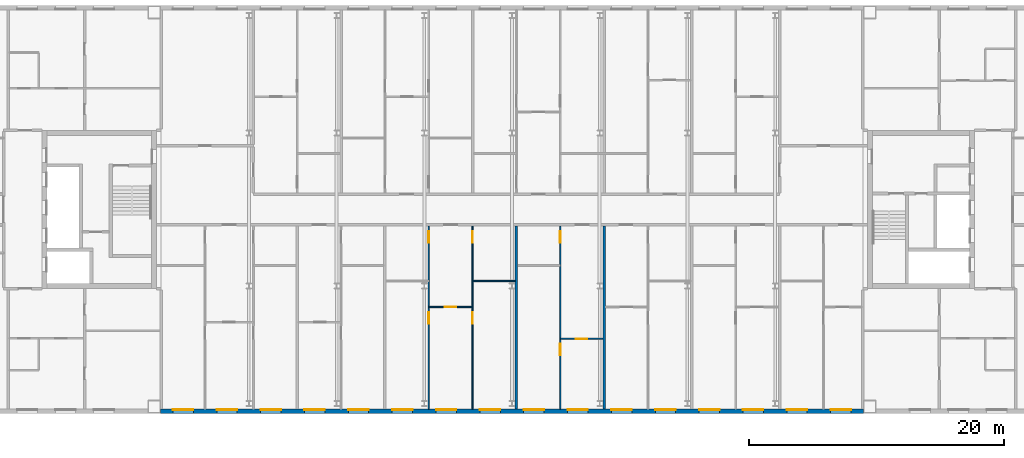
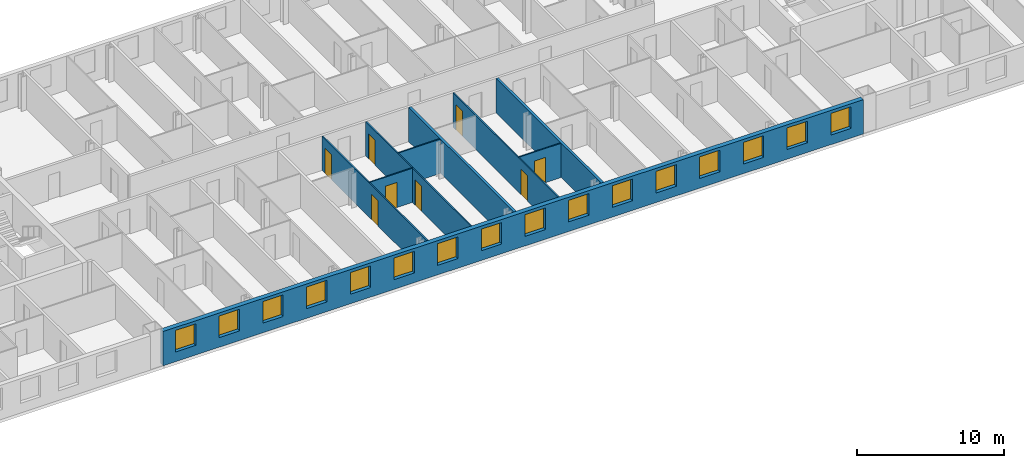
# One storey, part 10 of 19: 16 windows, 9 walls, 8 doors, 24 openings.
"""IFC4 building model written with IfcOpenShell, lengths in metres."""

from ifc_helpers import new_model, si_unit, direction, frame, frame_2d, origin, place, context, subcontext, project, spatial, rectangle, extrude, material, layer, layer_set, type_object, element, fill, save


model = new_model("IFC4")

# Units and contexts
model_context = context("Model", 3, precision=1e-05, world=origin(), true_north=direction((0.0, 1.0)))
body_context = subcontext(model_context, "Body", "Model", "MODEL_VIEW")
ifc_project = project(units=[si_unit("LENGTHUNIT", "METRE"), si_unit("AREAUNIT", "SQUARE_METRE"), si_unit("VOLUMEUNIT", "CUBIC_METRE"), si_unit("PLANEANGLEUNIT", "RADIAN"), si_unit("MASSUNIT", "GRAM", prefix="KILO")], contexts=[model_context])

# Site, building, storey
site_placement = place(None, origin())
site = spatial("IfcSite", under=ifc_project, at=site_placement, CompositionType="ELEMENT")
building_placement = place(site_placement, origin())
building = spatial("IfcBuilding", under=site, at=building_placement, Name="Tuart Gate Housing", CompositionType="ELEMENT")
storey_placement = place(building_placement, frame((0.0, 0.0, 233.800048828125)))
storey = spatial("IfcBuildingStorey", under=building, at=storey_placement, Name="L66", CompositionType="ELEMENT", Elevation=233.800048828125)

# Wall, openings, windows
ifc_material_1 = material(Name="Brick", Category="masonry")
ifc_layer_1 = layer(ifc_material_1, 0.360107421875)
ifc_layer_set_1 = layer_set([ifc_layer_1], Name="Brick pier and spandrel wall 360")
wall_type_1 = type_object("IfcWallType", Name="Brick pier and spandrel wall 360", PredefinedType="STANDARD", material=ifc_layer_set_1)
wall_1_placement = place(storey_placement, frame((75.949951171875, 54.179931640625, 0.0), z_axis=(0.0, 0.0, 1.0), x_axis=(1.0, 0.0, 0.0)))
wall_1 = element("IfcWall", 1, at=wall_1_placement, inside=storey, type_object=wall_type_1, Name="External wall BLK-S L66", PredefinedType="STANDARD", context=body_context, shape_type="SweptSolid", body=[
    extrude(rectangle(XDim=55.10009765625, YDim=0.360107421875, at=frame_2d((27.550048828125, 0.0))), origin(), (0.0, 0.0, 1.0), 2.849853515625),
])
opening_1_placement = place(wall_1_placement, frame((0.96875, 0.0, 0.800048828125)))
opening_1 = element("IfcOpeningElement", 2, at=opening_1_placement, cuts=wall_1, Name="Opening W1", PredefinedType="OPENING", context=body_context, shape_type="SweptSolid", body=[
    extrude(rectangle(XDim=1.60009765625, YDim=1.800048828125, at=frame_2d((0.800048828125, 0.89990234375))), frame((0.0, 0.18994140625, 0.0), z_axis=(0.0, -1.0, 0.0), x_axis=(1.0, 0.0, 0.0)), (0.0, 0.0, 1.0), 0.380126953125),
])
opening_2_placement = place(wall_1_placement, frame((4.40625, 0.0, 0.800048828125)))
opening_2 = element("IfcOpeningElement", 3, at=opening_2_placement, cuts=wall_1, Name="Opening W1", PredefinedType="OPENING", context=body_context, shape_type="SweptSolid", body=[
    extrude(rectangle(XDim=1.60009765625, YDim=1.800048828125, at=frame_2d((0.800048828125, 0.89990234375))), frame((0.0, 0.18994140625, 0.0), z_axis=(0.0, -1.0, 0.0), x_axis=(1.0, 0.0, 0.0)), (0.0, 0.0, 1.0), 0.380126953125),
])
opening_3_placement = place(wall_1_placement, frame((7.84375, 0.0, 0.800048828125)))
opening_3 = element("IfcOpeningElement", 4, at=opening_3_placement, cuts=wall_1, Name="Opening W1", PredefinedType="OPENING", context=body_context, shape_type="SweptSolid", body=[
    extrude(rectangle(XDim=1.60009765625, YDim=1.800048828125, at=frame_2d((0.800048828125, 0.89990234375))), frame((0.0, 0.18994140625, 0.0), z_axis=(0.0, -1.0, 0.0), x_axis=(1.0, 0.0, 0.0)), (0.0, 0.0, 1.0), 0.380126953125),
])
opening_4_placement = place(wall_1_placement, frame((11.28125, 0.0, 0.800048828125)))
opening_4 = element("IfcOpeningElement", 5, at=opening_4_placement, cuts=wall_1, Name="Opening W1", PredefinedType="OPENING", context=body_context, shape_type="SweptSolid", body=[
    extrude(rectangle(XDim=1.60009765625, YDim=1.800048828125, at=frame_2d((0.800048828125, 0.89990234375))), frame((0.0, 0.18994140625, 0.0), z_axis=(0.0, -1.0, 0.0), x_axis=(1.0, 0.0, 0.0)), (0.0, 0.0, 1.0), 0.380126953125),
])
opening_5_placement = place(wall_1_placement, frame((14.71875, 0.0, 0.800048828125)))
opening_5 = element("IfcOpeningElement", 6, at=opening_5_placement, cuts=wall_1, Name="Opening W1", PredefinedType="OPENING", context=body_context, shape_type="SweptSolid", body=[
    extrude(rectangle(XDim=1.60009765625, YDim=1.800048828125, at=frame_2d((0.800048828125, 0.89990234375))), frame((0.0, 0.18994140625, 0.0), z_axis=(0.0, -1.0, 0.0), x_axis=(1.0, 0.0, 0.0)), (0.0, 0.0, 1.0), 0.380126953125),
])
opening_6_placement = place(wall_1_placement, frame((18.15625, 0.0, 0.800048828125)))
opening_6 = element("IfcOpeningElement", 7, at=opening_6_placement, cuts=wall_1, Name="Opening W1", PredefinedType="OPENING", context=body_context, shape_type="SweptSolid", body=[
    extrude(rectangle(XDim=1.60009765625, YDim=1.800048828125, at=frame_2d((0.800048828125, 0.89990234375))), frame((0.0, 0.18994140625, 0.0), z_axis=(0.0, -1.0, 0.0), x_axis=(1.0, 0.0, 0.0)), (0.0, 0.0, 1.0), 0.380126953125),
])
opening_7_placement = place(wall_1_placement, frame((21.59375, 0.0, 0.800048828125)))
opening_7 = element("IfcOpeningElement", 8, at=opening_7_placement, cuts=wall_1, Name="Opening W1", PredefinedType="OPENING", context=body_context, shape_type="SweptSolid", body=[
    extrude(rectangle(XDim=1.60009765625, YDim=1.800048828125, at=frame_2d((0.800048828125, 0.89990234375))), frame((0.0, 0.18994140625, 0.0), z_axis=(0.0, -1.0, 0.0), x_axis=(1.0, 0.0, 0.0)), (0.0, 0.0, 1.0), 0.380126953125),
])
opening_8_placement = place(wall_1_placement, frame((25.03125, 0.0, 0.800048828125)))
opening_8 = element("IfcOpeningElement", 9, at=opening_8_placement, cuts=wall_1, Name="Opening W1", PredefinedType="OPENING", context=body_context, shape_type="SweptSolid", body=[
    extrude(rectangle(XDim=1.60009765625, YDim=1.800048828125, at=frame_2d((0.800048828125, 0.89990234375))), frame((0.0, 0.18994140625, 0.0), z_axis=(0.0, -1.0, 0.0), x_axis=(1.0, 0.0, 0.0)), (0.0, 0.0, 1.0), 0.380126953125),
])
opening_9_placement = place(wall_1_placement, frame((28.46875, 0.0, 0.800048828125)))
opening_9 = element("IfcOpeningElement", 10, at=opening_9_placement, cuts=wall_1, Name="Opening W1", PredefinedType="OPENING", context=body_context, shape_type="SweptSolid", body=[
    extrude(rectangle(XDim=1.60009765625, YDim=1.800048828125, at=frame_2d((0.800048828125, 0.89990234375))), frame((0.0, 0.18994140625, 0.0), z_axis=(0.0, -1.0, 0.0), x_axis=(1.0, 0.0, 0.0)), (0.0, 0.0, 1.0), 0.380126953125),
])
opening_10_placement = place(wall_1_placement, frame((31.90625, 0.0, 0.800048828125)))
opening_10 = element("IfcOpeningElement", 11, at=opening_10_placement, cuts=wall_1, Name="Opening W1", PredefinedType="OPENING", context=body_context, shape_type="SweptSolid", body=[
    extrude(rectangle(XDim=1.60009765625, YDim=1.800048828125, at=frame_2d((0.800048828125, 0.89990234375))), frame((0.0, 0.18994140625, 0.0), z_axis=(0.0, -1.0, 0.0), x_axis=(1.0, 0.0, 0.0)), (0.0, 0.0, 1.0), 0.380126953125),
])
opening_11_placement = place(wall_1_placement, frame((35.34375, 0.0, 0.800048828125)))
opening_11 = element("IfcOpeningElement", 12, at=opening_11_placement, cuts=wall_1, Name="Opening W1", PredefinedType="OPENING", context=body_context, shape_type="SweptSolid", body=[
    extrude(rectangle(XDim=1.60009765625, YDim=1.800048828125, at=frame_2d((0.800048828125, 0.89990234375))), frame((0.0, 0.18994140625, 0.0), z_axis=(0.0, -1.0, 0.0), x_axis=(1.0, 0.0, 0.0)), (0.0, 0.0, 1.0), 0.380126953125),
])
opening_12_placement = place(wall_1_placement, frame((38.78125, 0.0, 0.800048828125)))
opening_12 = element("IfcOpeningElement", 13, at=opening_12_placement, cuts=wall_1, Name="Opening W1", PredefinedType="OPENING", context=body_context, shape_type="SweptSolid", body=[
    extrude(rectangle(XDim=1.60009765625, YDim=1.800048828125, at=frame_2d((0.800048828125, 0.89990234375))), frame((0.0, 0.18994140625, 0.0), z_axis=(0.0, -1.0, 0.0), x_axis=(1.0, 0.0, 0.0)), (0.0, 0.0, 1.0), 0.380126953125),
])
opening_13_placement = place(wall_1_placement, frame((42.21875, 0.0, 0.800048828125)))
opening_13 = element("IfcOpeningElement", 14, at=opening_13_placement, cuts=wall_1, Name="Opening W1", PredefinedType="OPENING", context=body_context, shape_type="SweptSolid", body=[
    extrude(rectangle(XDim=1.60009765625, YDim=1.800048828125, at=frame_2d((0.800048828125, 0.89990234375))), frame((0.0, 0.18994140625, 0.0), z_axis=(0.0, -1.0, 0.0), x_axis=(1.0, 0.0, 0.0)), (0.0, 0.0, 1.0), 0.380126953125),
])
opening_14_placement = place(wall_1_placement, frame((45.65625, 0.0, 0.800048828125)))
opening_14 = element("IfcOpeningElement", 15, at=opening_14_placement, cuts=wall_1, Name="Opening W1", PredefinedType="OPENING", context=body_context, shape_type="SweptSolid", body=[
    extrude(rectangle(XDim=1.60009765625, YDim=1.800048828125, at=frame_2d((0.800048828125, 0.89990234375))), frame((0.0, 0.18994140625, 0.0), z_axis=(0.0, -1.0, 0.0), x_axis=(1.0, 0.0, 0.0)), (0.0, 0.0, 1.0), 0.380126953125),
])
opening_15_placement = place(wall_1_placement, frame((49.09375, 0.0, 0.800048828125)))
opening_15 = element("IfcOpeningElement", 16, at=opening_15_placement, cuts=wall_1, Name="Opening W1", PredefinedType="OPENING", context=body_context, shape_type="SweptSolid", body=[
    extrude(rectangle(XDim=1.60009765625, YDim=1.800048828125, at=frame_2d((0.800048828125, 0.89990234375))), frame((0.0, 0.18994140625, 0.0), z_axis=(0.0, -1.0, 0.0), x_axis=(1.0, 0.0, 0.0)), (0.0, 0.0, 1.0), 0.380126953125),
])
opening_16_placement = place(wall_1_placement, frame((52.53125, 0.0, 0.800048828125)))
opening_16 = element("IfcOpeningElement", 17, at=opening_16_placement, cuts=wall_1, Name="Opening W1", PredefinedType="OPENING", context=body_context, shape_type="SweptSolid", body=[
    extrude(rectangle(XDim=1.60009765625, YDim=1.800048828125, at=frame_2d((0.800048828125, 0.89990234375))), frame((0.0, 0.18994140625, 0.0), z_axis=(0.0, -1.0, 0.0), x_axis=(1.0, 0.0, 0.0)), (0.0, 0.0, 1.0), 0.380126953125),
])
ifc_material_2 = material(Name="Aluminium frame with clear glass", Category="aluminium")
window_type = type_object("IfcWindowType", Name="Punched window 1600 x 1800", PartitioningType="SINGLE_PANEL", PredefinedType="WINDOW", material=ifc_material_2)
window_1_placement = place(opening_1_placement, origin())
window_1 = element("IfcWindow", 18, at=window_1_placement, inside=storey, type_object=window_type, Name="Window W1", OverallHeight=1.800048828125, OverallWidth=1.60009765625, PartitioningType="SINGLE_PANEL", PredefinedType="WINDOW", context=body_context, shape_type="SweptSolid", body=[
    extrude(rectangle(XDim=1.60009765625, YDim=1.800048828125, at=frame_2d((0.800048828125, 0.89990234375))), frame((0.0, 0.150146484375, 0.0), z_axis=(0.0, -1.0, 0.0), x_axis=(1.0, 0.0, 0.0)), (0.0, 0.0, 1.0), 0.06005859375),
])
fill(opening_1, window_1)
window_2_placement = place(opening_2_placement, origin())
window_2 = element("IfcWindow", 19, at=window_2_placement, inside=storey, type_object=window_type, Name="Window W1", OverallHeight=1.800048828125, OverallWidth=1.60009765625, PartitioningType="SINGLE_PANEL", PredefinedType="WINDOW", context=body_context, shape_type="SweptSolid", body=[
    extrude(rectangle(XDim=1.60009765625, YDim=1.800048828125, at=frame_2d((0.800048828125, 0.89990234375))), frame((0.0, 0.150146484375, 0.0), z_axis=(0.0, -1.0, 0.0), x_axis=(1.0, 0.0, 0.0)), (0.0, 0.0, 1.0), 0.06005859375),
])
fill(opening_2, window_2)
window_3_placement = place(opening_3_placement, origin())
window_3 = element("IfcWindow", 20, at=window_3_placement, inside=storey, type_object=window_type, Name="Window W1", OverallHeight=1.800048828125, OverallWidth=1.60009765625, PartitioningType="SINGLE_PANEL", PredefinedType="WINDOW", context=body_context, shape_type="SweptSolid", body=[
    extrude(rectangle(XDim=1.60009765625, YDim=1.800048828125, at=frame_2d((0.800048828125, 0.89990234375))), frame((0.0, 0.150146484375, 0.0), z_axis=(0.0, -1.0, 0.0), x_axis=(1.0, 0.0, 0.0)), (0.0, 0.0, 1.0), 0.06005859375),
])
fill(opening_3, window_3)
window_4_placement = place(opening_4_placement, origin())
window_4 = element("IfcWindow", 21, at=window_4_placement, inside=storey, type_object=window_type, Name="Window W1", OverallHeight=1.800048828125, OverallWidth=1.60009765625, PartitioningType="SINGLE_PANEL", PredefinedType="WINDOW", context=body_context, shape_type="SweptSolid", body=[
    extrude(rectangle(XDim=1.60009765625, YDim=1.800048828125, at=frame_2d((0.800048828125, 0.89990234375))), frame((0.0, 0.150146484375, 0.0), z_axis=(0.0, -1.0, 0.0), x_axis=(1.0, 0.0, 0.0)), (0.0, 0.0, 1.0), 0.06005859375),
])
fill(opening_4, window_4)
window_5_placement = place(opening_5_placement, origin())
window_5 = element("IfcWindow", 22, at=window_5_placement, inside=storey, type_object=window_type, Name="Window W1", OverallHeight=1.800048828125, OverallWidth=1.60009765625, PartitioningType="SINGLE_PANEL", PredefinedType="WINDOW", context=body_context, shape_type="SweptSolid", body=[
    extrude(rectangle(XDim=1.60009765625, YDim=1.800048828125, at=frame_2d((0.800048828125, 0.89990234375))), frame((0.0, 0.150146484375, 0.0), z_axis=(0.0, -1.0, 0.0), x_axis=(1.0, 0.0, 0.0)), (0.0, 0.0, 1.0), 0.06005859375),
])
fill(opening_5, window_5)
window_6_placement = place(opening_6_placement, origin())
window_6 = element("IfcWindow", 23, at=window_6_placement, inside=storey, type_object=window_type, Name="Window W1", OverallHeight=1.800048828125, OverallWidth=1.60009765625, PartitioningType="SINGLE_PANEL", PredefinedType="WINDOW", context=body_context, shape_type="SweptSolid", body=[
    extrude(rectangle(XDim=1.60009765625, YDim=1.800048828125, at=frame_2d((0.800048828125, 0.89990234375))), frame((0.0, 0.150146484375, 0.0), z_axis=(0.0, -1.0, 0.0), x_axis=(1.0, 0.0, 0.0)), (0.0, 0.0, 1.0), 0.06005859375),
])
fill(opening_6, window_6)
window_7_placement = place(opening_7_placement, origin())
window_7 = element("IfcWindow", 24, at=window_7_placement, inside=storey, type_object=window_type, Name="Window W1", OverallHeight=1.800048828125, OverallWidth=1.60009765625, PartitioningType="SINGLE_PANEL", PredefinedType="WINDOW", context=body_context, shape_type="SweptSolid", body=[
    extrude(rectangle(XDim=1.60009765625, YDim=1.800048828125, at=frame_2d((0.800048828125, 0.89990234375))), frame((0.0, 0.150146484375, 0.0), z_axis=(0.0, -1.0, 0.0), x_axis=(1.0, 0.0, 0.0)), (0.0, 0.0, 1.0), 0.06005859375),
])
fill(opening_7, window_7)
window_8_placement = place(opening_8_placement, origin())
window_8 = element("IfcWindow", 25, at=window_8_placement, inside=storey, type_object=window_type, Name="Window W1", OverallHeight=1.800048828125, OverallWidth=1.60009765625, PartitioningType="SINGLE_PANEL", PredefinedType="WINDOW", context=body_context, shape_type="SweptSolid", body=[
    extrude(rectangle(XDim=1.60009765625, YDim=1.800048828125, at=frame_2d((0.800048828125, 0.89990234375))), frame((0.0, 0.150146484375, 0.0), z_axis=(0.0, -1.0, 0.0), x_axis=(1.0, 0.0, 0.0)), (0.0, 0.0, 1.0), 0.06005859375),
])
fill(opening_8, window_8)
window_9_placement = place(opening_9_placement, origin())
window_9 = element("IfcWindow", 26, at=window_9_placement, inside=storey, type_object=window_type, Name="Window W1", OverallHeight=1.800048828125, OverallWidth=1.60009765625, PartitioningType="SINGLE_PANEL", PredefinedType="WINDOW", context=body_context, shape_type="SweptSolid", body=[
    extrude(rectangle(XDim=1.60009765625, YDim=1.800048828125, at=frame_2d((0.800048828125, 0.89990234375))), frame((0.0, 0.150146484375, 0.0), z_axis=(0.0, -1.0, 0.0), x_axis=(1.0, 0.0, 0.0)), (0.0, 0.0, 1.0), 0.06005859375),
])
fill(opening_9, window_9)
window_10_placement = place(opening_10_placement, origin())
window_10 = element("IfcWindow", 27, at=window_10_placement, inside=storey, type_object=window_type, Name="Window W1", OverallHeight=1.800048828125, OverallWidth=1.60009765625, PartitioningType="SINGLE_PANEL", PredefinedType="WINDOW", context=body_context, shape_type="SweptSolid", body=[
    extrude(rectangle(XDim=1.60009765625, YDim=1.800048828125, at=frame_2d((0.800048828125, 0.89990234375))), frame((0.0, 0.150146484375, 0.0), z_axis=(0.0, -1.0, 0.0), x_axis=(1.0, 0.0, 0.0)), (0.0, 0.0, 1.0), 0.06005859375),
])
fill(opening_10, window_10)
window_11_placement = place(opening_11_placement, origin())
window_11 = element("IfcWindow", 28, at=window_11_placement, inside=storey, type_object=window_type, Name="Window W1", OverallHeight=1.800048828125, OverallWidth=1.60009765625, PartitioningType="SINGLE_PANEL", PredefinedType="WINDOW", context=body_context, shape_type="SweptSolid", body=[
    extrude(rectangle(XDim=1.60009765625, YDim=1.800048828125, at=frame_2d((0.800048828125, 0.89990234375))), frame((0.0, 0.150146484375, 0.0), z_axis=(0.0, -1.0, 0.0), x_axis=(1.0, 0.0, 0.0)), (0.0, 0.0, 1.0), 0.06005859375),
])
fill(opening_11, window_11)
window_12_placement = place(opening_12_placement, origin())
window_12 = element("IfcWindow", 29, at=window_12_placement, inside=storey, type_object=window_type, Name="Window W1", OverallHeight=1.800048828125, OverallWidth=1.60009765625, PartitioningType="SINGLE_PANEL", PredefinedType="WINDOW", context=body_context, shape_type="SweptSolid", body=[
    extrude(rectangle(XDim=1.60009765625, YDim=1.800048828125, at=frame_2d((0.800048828125, 0.89990234375))), frame((0.0, 0.150146484375, 0.0), z_axis=(0.0, -1.0, 0.0), x_axis=(1.0, 0.0, 0.0)), (0.0, 0.0, 1.0), 0.06005859375),
])
fill(opening_12, window_12)
window_13_placement = place(opening_13_placement, origin())
window_13 = element("IfcWindow", 30, at=window_13_placement, inside=storey, type_object=window_type, Name="Window W1", OverallHeight=1.800048828125, OverallWidth=1.60009765625, PartitioningType="SINGLE_PANEL", PredefinedType="WINDOW", context=body_context, shape_type="SweptSolid", body=[
    extrude(rectangle(XDim=1.60009765625, YDim=1.800048828125, at=frame_2d((0.800048828125, 0.89990234375))), frame((0.0, 0.150146484375, 0.0), z_axis=(0.0, -1.0, 0.0), x_axis=(1.0, 0.0, 0.0)), (0.0, 0.0, 1.0), 0.06005859375),
])
fill(opening_13, window_13)
window_14_placement = place(opening_14_placement, origin())
window_14 = element("IfcWindow", 31, at=window_14_placement, inside=storey, type_object=window_type, Name="Window W1", OverallHeight=1.800048828125, OverallWidth=1.60009765625, PartitioningType="SINGLE_PANEL", PredefinedType="WINDOW", context=body_context, shape_type="SweptSolid", body=[
    extrude(rectangle(XDim=1.60009765625, YDim=1.800048828125, at=frame_2d((0.800048828125, 0.89990234375))), frame((0.0, 0.150146484375, 0.0), z_axis=(0.0, -1.0, 0.0), x_axis=(1.0, 0.0, 0.0)), (0.0, 0.0, 1.0), 0.06005859375),
])
fill(opening_14, window_14)
window_15_placement = place(opening_15_placement, origin())
window_15 = element("IfcWindow", 32, at=window_15_placement, inside=storey, type_object=window_type, Name="Window W1", OverallHeight=1.800048828125, OverallWidth=1.60009765625, PartitioningType="SINGLE_PANEL", PredefinedType="WINDOW", context=body_context, shape_type="SweptSolid", body=[
    extrude(rectangle(XDim=1.60009765625, YDim=1.800048828125, at=frame_2d((0.800048828125, 0.89990234375))), frame((0.0, 0.150146484375, 0.0), z_axis=(0.0, -1.0, 0.0), x_axis=(1.0, 0.0, 0.0)), (0.0, 0.0, 1.0), 0.06005859375),
])
fill(opening_15, window_15)
window_16_placement = place(opening_16_placement, origin())
window_16 = element("IfcWindow", 33, at=window_16_placement, inside=storey, type_object=window_type, Name="Window W1", OverallHeight=1.800048828125, OverallWidth=1.60009765625, PartitioningType="SINGLE_PANEL", PredefinedType="WINDOW", context=body_context, shape_type="SweptSolid", body=[
    extrude(rectangle(XDim=1.60009765625, YDim=1.800048828125, at=frame_2d((0.800048828125, 0.89990234375))), frame((0.0, 0.150146484375, 0.0), z_axis=(0.0, -1.0, 0.0), x_axis=(1.0, 0.0, 0.0)), (0.0, 0.0, 1.0), 0.06005859375),
])
fill(opening_16, window_16)

# Wall, opening, door
ifc_material_3 = material(Name="Gypsum board on steel studs", Category="steel")
ifc_layer_2 = layer(ifc_material_3, 0.10009765625)
ifc_layer_set_2 = layer_set([ifc_layer_2], Name="Partition 100")
wall_type_2 = type_object("IfcWallType", Name="Partition 100", PredefinedType="PARTITIONING", material=ifc_layer_set_2)
wall_2_placement = place(storey_placement, frame((107.287109375, 59.860107421875, 0.0), z_axis=(0.0, 0.0, 1.0), x_axis=(1.0, 0.0, 0.0)))
wall_2 = element("IfcWall", 34, at=wall_2_placement, inside=storey, type_object=wall_type_2, Name="Partition 100", PredefinedType="PARTITIONING", context=body_context, shape_type="SweptSolid", body=[
    extrude(rectangle(XDim=3.337890625, YDim=0.10009765625, at=frame_2d((1.6689453125, 0.0))), origin(), (0.0, 0.0, 1.0), 2.849853515625),
])
opening_17_placement = place(wall_2_placement, frame((1.218994140625, 0.0, 0.0)))
opening_17 = element("IfcOpeningElement", 35, at=opening_17_placement, cuts=wall_2, Name="Opening D2556", PredefinedType="OPENING", context=body_context, shape_type="SweptSolid", body=[
    extrude(rectangle(XDim=0.89990234375, YDim=2.10009765625, at=frame_2d((0.449951171875, 1.050048828125))), frame((0.0, 0.06005859375, 0.0), z_axis=(0.0, -1.0, 0.0), x_axis=(1.0, 0.0, 0.0)), (0.0, 0.0, 1.0), 0.1201171875),
])
ifc_material_4 = material(Name="Timber door leaf in steel frame", Category="steel")
door_type_1 = type_object("IfcDoorType", Name="Internal door 900", OperationType="SINGLE_SWING_LEFT", PredefinedType="DOOR", material=ifc_material_4)
door_1_placement = place(opening_17_placement, origin())
door_1 = element("IfcDoor", 36, at=door_1_placement, inside=storey, type_object=door_type_1, Name="Internal door", OperationType="SINGLE_SWING_LEFT", OverallHeight=2.10009765625, OverallWidth=0.89990234375, PredefinedType="DOOR", context=body_context, shape_type="SweptSolid", body=[
    extrude(rectangle(XDim=0.89990234375, YDim=2.10009765625, at=frame_2d((0.449951171875, 1.050048828125))), frame((0.0, 0.02490234375, 0.0), z_axis=(0.0, -1.0, 0.0), x_axis=(1.0, 0.0, 0.0)), (0.0, 0.0, 1.0), 0.050048828125),
])
fill(opening_17, door_1)

wall_3_placement = place(storey_placement, frame((96.97509765625, 62.360107421875, 0.0), z_axis=(0.0, 0.0, 1.0), x_axis=(1.0, 0.0, 0.0)))
wall_3 = element("IfcWall", 37, at=wall_3_placement, inside=storey, type_object=wall_type_2, Name="Partition 100", PredefinedType="PARTITIONING", context=body_context, shape_type="SweptSolid", body=[
    extrude(rectangle(XDim=3.43701171875, YDim=0.10009765625, at=frame_2d((1.718505859375, 0.0))), origin(), (0.0, 0.0, 1.0), 2.849853515625),
])
opening_18_placement = place(wall_3_placement, frame((1.2685546875, 0.0, 0.0)))
opening_18 = element("IfcOpeningElement", 38, at=opening_18_placement, cuts=wall_3, Name="Opening D2532", PredefinedType="OPENING", context=body_context, shape_type="SweptSolid", body=[
    extrude(rectangle(XDim=0.89990234375, YDim=2.10009765625, at=frame_2d((0.449951171875, 1.050048828125))), frame((0.0, 0.06005859375, 0.0), z_axis=(0.0, -1.0, 0.0), x_axis=(1.0, 0.0, 0.0)), (0.0, 0.0, 1.0), 0.1201171875),
])
door_2_placement = place(opening_18_placement, origin())
door_2 = element("IfcDoor", 39, at=door_2_placement, inside=storey, type_object=door_type_1, Name="Internal door", OperationType="SINGLE_SWING_LEFT", OverallHeight=2.10009765625, OverallWidth=0.89990234375, PredefinedType="DOOR", context=body_context, shape_type="SweptSolid", body=[
    extrude(rectangle(XDim=0.89990234375, YDim=2.10009765625, at=frame_2d((0.449951171875, 1.050048828125))), frame((0.0, 0.02490234375, 0.0), z_axis=(0.0, -1.0, 0.0), x_axis=(1.0, 0.0, 0.0)), (0.0, 0.0, 1.0), 0.050048828125),
])
fill(opening_18, door_2)

# Wall
wall_4_placement = place(storey_placement, frame((100.412109375, 64.39990234375, 0.0), z_axis=(0.0, 0.0, 1.0), x_axis=(1.0, 0.0, 0.0)))
element("IfcWall", 40, at=wall_4_placement, inside=storey, type_object=wall_type_2, Name="Partition 100", PredefinedType="PARTITIONING", context=body_context, shape_type="SweptSolid", body=[
    extrude(rectangle(XDim=3.337890625, YDim=0.10009765625, at=frame_2d((1.6689453125, 0.0))), origin(), (0.0, 0.0, 1.0), 2.849853515625),
])

# Wall, openings, doors
wall_5_placement = place(storey_placement, frame((96.97509765625, 54.360107421875, 0.0), z_axis=(0.0, 0.0, 1.0), x_axis=(0.0, 1.0, 0.0)))
wall_5 = element("IfcWall", 41, at=wall_5_placement, inside=storey, type_object=wall_type_2, Name="Partition 100", PredefinedType="PARTITIONING", context=body_context, shape_type="SweptSolid", body=[
    extrude(rectangle(XDim=14.33984375, YDim=0.10009765625, at=frame_2d((7.169921875, 0.0))), origin(), (0.0, 0.0, 1.0), 2.849853515625),
])
opening_19_placement = place(wall_5_placement, frame((6.699951171875, 0.0, 0.0)))
opening_19 = element("IfcOpeningElement", 42, at=opening_19_placement, cuts=wall_5, Name="Opening D2543", PredefinedType="OPENING", context=body_context, shape_type="SweptSolid", body=[
    extrude(rectangle(XDim=0.89990234375, YDim=2.10009765625, at=frame_2d((0.449951171875, 1.050048828125))), frame((0.0, 0.06005859375, 0.0), z_axis=(0.0, -1.0, 0.0), x_axis=(1.0, 0.0, 0.0)), (0.0, 0.0, 1.0), 0.1201171875),
])
opening_20_placement = place(wall_5_placement, frame((13.0400390625, 0.0, 0.0)))
opening_20 = element("IfcOpeningElement", 43, at=opening_20_placement, cuts=wall_5, Name="Opening D2542", PredefinedType="OPENING", context=body_context, shape_type="SweptSolid", body=[
    extrude(rectangle(XDim=0.89990234375, YDim=2.10009765625, at=frame_2d((0.449951171875, 1.050048828125))), frame((0.0, 0.06005859375, 0.0), z_axis=(0.0, -1.0, 0.0), x_axis=(1.0, 0.0, 0.0)), (0.0, 0.0, 1.0), 0.1201171875),
])
ifc_material_5 = material(Name="Timber door leaf in steel frame", Category="steel")
door_type_2 = type_object("IfcDoorType", Name="Bathroom door 900 RH", OperationType="SINGLE_SWING_RIGHT", PredefinedType="DOOR", material=ifc_material_5)
door_3_placement = place(opening_20_placement, origin())
door_3 = element("IfcDoor", 44, at=door_3_placement, inside=storey, type_object=door_type_2, Name="Bathroom door", OperationType="SINGLE_SWING_RIGHT", OverallHeight=2.10009765625, OverallWidth=0.89990234375, PredefinedType="DOOR", context=body_context, shape_type="SweptSolid", body=[
    extrude(rectangle(XDim=0.89990234375, YDim=2.10009765625, at=frame_2d((0.449951171875, 1.050048828125))), frame((0.0, 0.02490234375, 0.0), z_axis=(0.0, -1.0, 0.0), x_axis=(1.0, 0.0, 0.0)), (0.0, 0.0, 1.0), 0.050048828125),
])
fill(opening_20, door_3)
ifc_material_6 = material(Name="Timber door leaf in steel frame", Category="steel")
door_type_3 = type_object("IfcDoorType", Name="Internal door 900 RH", OperationType="SINGLE_SWING_RIGHT", PredefinedType="DOOR", material=ifc_material_6)
door_4_placement = place(opening_19_placement, origin())
door_4 = element("IfcDoor", 45, at=door_4_placement, inside=storey, type_object=door_type_3, Name="Internal door", OperationType="SINGLE_SWING_RIGHT", OverallHeight=2.10009765625, OverallWidth=0.89990234375, PredefinedType="DOOR", context=body_context, shape_type="SweptSolid", body=[
    extrude(rectangle(XDim=0.89990234375, YDim=2.10009765625, at=frame_2d((0.449951171875, 1.050048828125))), frame((0.0, 0.02490234375, 0.0), z_axis=(0.0, -1.0, 0.0), x_axis=(1.0, 0.0, 0.0)), (0.0, 0.0, 1.0), 0.050048828125),
])
fill(opening_19, door_4)

wall_6_placement = place(storey_placement, frame((100.412109375, 54.360107421875, 0.0), z_axis=(0.0, 0.0, 1.0), x_axis=(0.0, 1.0, 0.0)))
wall_6 = element("IfcWall", 46, at=wall_6_placement, inside=storey, type_object=wall_type_2, Name="Partition 100", PredefinedType="PARTITIONING", context=body_context, shape_type="SweptSolid", body=[
    extrude(rectangle(XDim=14.33984375, YDim=0.10009765625, at=frame_2d((7.169921875, 0.0))), origin(), (0.0, 0.0, 1.0), 2.849853515625),
])
opening_21_placement = place(wall_6_placement, frame((6.699951171875, 0.0, 0.0)))
opening_21 = element("IfcOpeningElement", 47, at=opening_21_placement, cuts=wall_6, Name="Opening D2545", PredefinedType="OPENING", context=body_context, shape_type="SweptSolid", body=[
    extrude(rectangle(XDim=0.89990234375, YDim=2.10009765625, at=frame_2d((0.449951171875, 1.050048828125))), frame((0.0, 0.06005859375, 0.0), z_axis=(0.0, -1.0, 0.0), x_axis=(1.0, 0.0, 0.0)), (0.0, 0.0, 1.0), 0.1201171875),
])
opening_22_placement = place(wall_6_placement, frame((13.0400390625, 0.0, 0.0)))
opening_22 = element("IfcOpeningElement", 48, at=opening_22_placement, cuts=wall_6, Name="Opening D2544", PredefinedType="OPENING", context=body_context, shape_type="SweptSolid", body=[
    extrude(rectangle(XDim=0.89990234375, YDim=2.10009765625, at=frame_2d((0.449951171875, 1.050048828125))), frame((0.0, 0.06005859375, 0.0), z_axis=(0.0, -1.0, 0.0), x_axis=(1.0, 0.0, 0.0)), (0.0, 0.0, 1.0), 0.1201171875),
])
ifc_material_7 = material(Name="Timber door leaf in steel frame", Category="steel")
door_type_4 = type_object("IfcDoorType", Name="Bathroom door 900", OperationType="SINGLE_SWING_LEFT", PredefinedType="DOOR", material=ifc_material_7)
door_5_placement = place(opening_22_placement, frame((0.89990234375, 0.0, 0.0), z_axis=(0.0, 0.0, 1.0), x_axis=(-1.0, 0.0, 0.0)))
door_5 = element("IfcDoor", 49, at=door_5_placement, inside=storey, type_object=door_type_4, Name="Bathroom door", OperationType="SINGLE_SWING_LEFT", OverallHeight=2.10009765625, OverallWidth=0.89990234375, PredefinedType="DOOR", context=body_context, shape_type="SweptSolid", body=[
    extrude(rectangle(XDim=0.89990234375, YDim=2.10009765625, at=frame_2d((0.449951171875, 1.050048828125))), frame((0.0, 0.025146484375, 0.0), z_axis=(0.0, -1.0, 0.0), x_axis=(1.0, 0.0, 0.0)), (0.0, 0.0, 1.0), 0.050048828125),
])
fill(opening_22, door_5)
door_6_placement = place(opening_21_placement, frame((0.89990234375, 0.0, 0.0), z_axis=(0.0, 0.0, 1.0), x_axis=(-1.0, 0.0, 0.0)))
door_6 = element("IfcDoor", 50, at=door_6_placement, inside=storey, type_object=door_type_1, Name="Internal door", OperationType="SINGLE_SWING_LEFT", OverallHeight=2.10009765625, OverallWidth=0.89990234375, PredefinedType="DOOR", context=body_context, shape_type="SweptSolid", body=[
    extrude(rectangle(XDim=0.89990234375, YDim=2.10009765625, at=frame_2d((0.449951171875, 1.050048828125))), frame((0.0, 0.025146484375, 0.0), z_axis=(0.0, -1.0, 0.0), x_axis=(1.0, 0.0, 0.0)), (0.0, 0.0, 1.0), 0.050048828125),
])
fill(opening_21, door_6)

wall_7_placement = place(storey_placement, frame((107.287109375, 54.360107421875, 0.0), z_axis=(0.0, 0.0, 1.0), x_axis=(0.0, 1.0, 0.0)))
wall_7 = element("IfcWall", 51, at=wall_7_placement, inside=storey, type_object=wall_type_2, Name="Partition 100", PredefinedType="PARTITIONING", context=body_context, shape_type="SweptSolid", body=[
    extrude(rectangle(XDim=14.33984375, YDim=0.10009765625, at=frame_2d((7.169921875, 0.0))), origin(), (0.0, 0.0, 1.0), 2.849853515625),
])
opening_23_placement = place(wall_7_placement, frame((4.199951171875, 0.0, 0.0)))
opening_23 = element("IfcOpeningElement", 52, at=opening_23_placement, cuts=wall_7, Name="Opening D2547", PredefinedType="OPENING", context=body_context, shape_type="SweptSolid", body=[
    extrude(rectangle(XDim=0.89990234375, YDim=2.10009765625, at=frame_2d((0.449951171875, 1.050048828125))), frame((0.0, 0.06005859375, 0.0), z_axis=(0.0, -1.0, 0.0), x_axis=(1.0, 0.0, 0.0)), (0.0, 0.0, 1.0), 0.1201171875),
])
opening_24_placement = place(wall_7_placement, frame((13.0400390625, 0.0, 0.0)))
opening_24 = element("IfcOpeningElement", 53, at=opening_24_placement, cuts=wall_7, Name="Opening D2546", PredefinedType="OPENING", context=body_context, shape_type="SweptSolid", body=[
    extrude(rectangle(XDim=0.89990234375, YDim=2.10009765625, at=frame_2d((0.449951171875, 1.050048828125))), frame((0.0, 0.06005859375, 0.0), z_axis=(0.0, -1.0, 0.0), x_axis=(1.0, 0.0, 0.0)), (0.0, 0.0, 1.0), 0.1201171875),
])
door_7_placement = place(opening_24_placement, origin())
door_7 = element("IfcDoor", 54, at=door_7_placement, inside=storey, type_object=door_type_2, Name="Bathroom door", OperationType="SINGLE_SWING_RIGHT", OverallHeight=2.10009765625, OverallWidth=0.89990234375, PredefinedType="DOOR", context=body_context, shape_type="SweptSolid", body=[
    extrude(rectangle(XDim=0.89990234375, YDim=2.10009765625, at=frame_2d((0.449951171875, 1.050048828125))), frame((0.0, 0.02490234375, 0.0), z_axis=(0.0, -1.0, 0.0), x_axis=(1.0, 0.0, 0.0)), (0.0, 0.0, 1.0), 0.050048828125),
])
fill(opening_24, door_7)
door_8_placement = place(opening_23_placement, origin())
door_8 = element("IfcDoor", 55, at=door_8_placement, inside=storey, type_object=door_type_1, Name="Internal door", OperationType="SINGLE_SWING_LEFT", OverallHeight=2.10009765625, OverallWidth=0.89990234375, PredefinedType="DOOR", context=body_context, shape_type="SweptSolid", body=[
    extrude(rectangle(XDim=0.89990234375, YDim=2.10009765625, at=frame_2d((0.449951171875, 1.050048828125))), frame((0.0, 0.02490234375, 0.0), z_axis=(0.0, -1.0, 0.0), x_axis=(1.0, 0.0, 0.0)), (0.0, 0.0, 1.0), 0.050048828125),
])
fill(opening_23, door_8)

# Walls
ifc_material_8 = material(Name="Concrete masonry 15 MPa", Category="masonry")
ifc_layer_3 = layer(ifc_material_8, 0.199951171875)
ifc_layer_set_3 = layer_set([ifc_layer_3], Name="Party wall masonry 200")
wall_type_3 = type_object("IfcWallType", Name="Party wall masonry 200", PredefinedType="PARTITIONING", material=ifc_layer_set_3)
for number, where, z_axis, x_axis, name in (
    (56, (103.85009765625, 54.360107421875, 0.0), (0.0, 0.0, 1.0), (0.0, 1.0, 0.0), "Party wall masonry 200"),
    (57, (110.72509765625, 54.360107421875, 0.0), (0.0, 0.0, 1.0), (0.0, 1.0, 0.0), "Party wall masonry 200"),
):
    element("IfcWall", number, at=place(storey_placement, frame(where, z_axis=z_axis, x_axis=x_axis)), inside=storey, type_object=wall_type_3, Name=name, PredefinedType="PARTITIONING", context=body_context, shape_type="SweptSolid", body=[
        extrude(rectangle(XDim=14.33984375, YDim=0.199951171875, at=frame_2d((7.169921875, 0.0))), origin(), (0.0, 0.0, 1.0), 2.849853515625),
    ])

save(model, "model.ifc")
